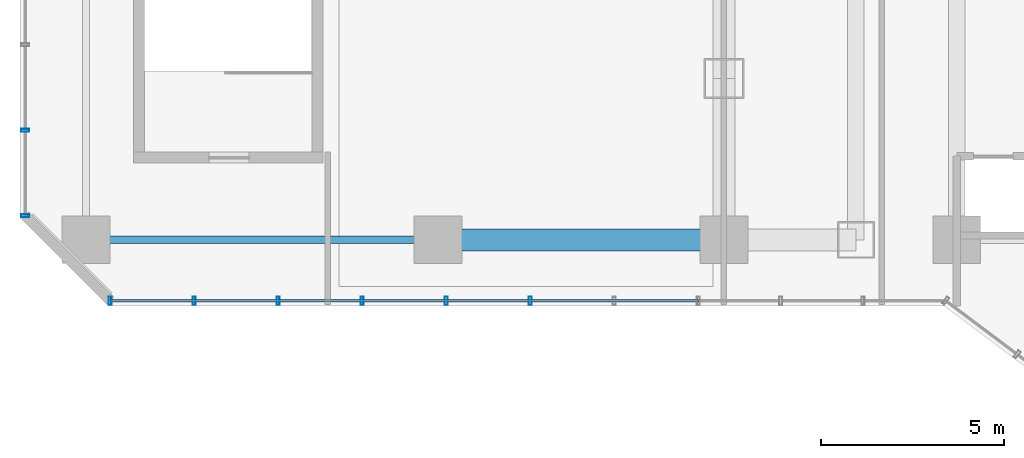
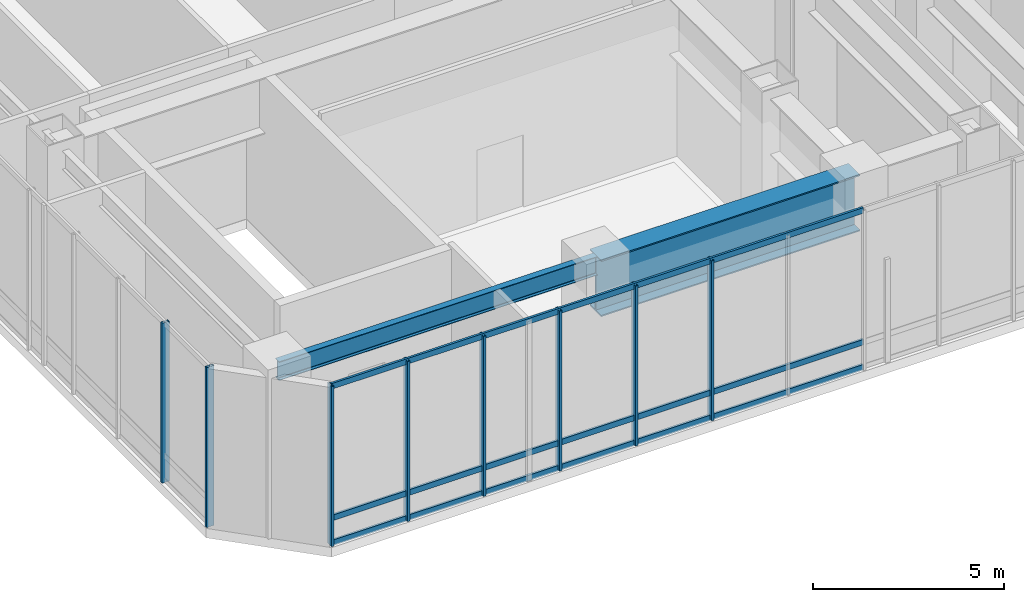
# One storey, part 2 of 38: 11 members, 2 beams, 2 elements without a shape of their own.
"""IFC4 building model written with IfcOpenShell, lengths in metres."""

from ifc_helpers import new_model, si_unit, direction, frame, origin, origin_2d, place, context, subcontext, project, spatial, hollow_rectangle, i_section, extrude, material, layer, layer_set, material_profile, profile_set, type_object, element, aggregate, save


model = new_model("IFC4")

# Units and contexts
model_context = context("Model", 3, precision=1e-05, world=origin(), true_north=direction((0.0, 1.0)))
body_context = subcontext(model_context, "Body", "Model", "MODEL_VIEW")
ifc_project = project(units=[si_unit("LENGTHUNIT", "METRE"), si_unit("AREAUNIT", "SQUARE_METRE"), si_unit("VOLUMEUNIT", "CUBIC_METRE"), si_unit("PLANEANGLEUNIT", "RADIAN"), si_unit("MASSUNIT", "GRAM", prefix="KILO")], contexts=[model_context])

# Site, building, storey
site_placement = place(None, origin())
site = spatial("IfcSite", under=ifc_project, at=site_placement, CompositionType="ELEMENT")
building_placement = place(site_placement, origin())
building = spatial("IfcBuilding", under=site, at=building_placement, Name="Hatsunagi Terrace Concourse", CompositionType="ELEMENT")
storey_placement = place(building_placement, frame((0.0, 0.0, 21.60009765625)))
storey = spatial("IfcBuildingStorey", under=building, at=storey_placement, Name="L05", CompositionType="ELEMENT", Elevation=21.60009765625)

# Curtain wall, members
ifc_material_1 = material(Name="Anodised Aluminium Alloy 6063-T5", Category="aluminium")
ifc_layer = layer(ifc_material_1, 0.199951171875)
ifc_layer_set = layer_set([ifc_layer], Name="PodiumStorefront_CW01")
curtain_wall_type = type_object("IfcCurtainWallType", Name="PodiumStorefront_CW01", PredefinedType="NOTDEFINED", material=ifc_layer_set)
curtain_wall_1_placement = place(storey_placement, origin())
curtain_wall_1 = element("IfcCurtainWall", 1, at=curtain_wall_1_placement, inside=storey, type_object=curtain_wall_type, Name="Unitised Curtain Wall CW-01 CW-L05-07", PredefinedType="NOTDEFINED")
ifc_material_2 = material(Name="Anodised Aluminium Alloy 6063-T5", Category="aluminium")
ifc_material_profile_1 = material_profile(ifc_material_2, hollow_rectangle(XDim=0.080078125, YDim=0.219970703125, WallThickness=0.0048828125, at=origin_2d()), Name="ALU-MUL-220x80x5")
ifc_profile_set_1 = profile_set([ifc_material_profile_1], Name="Anodised Aluminium Alloy 6063-T5")
member_type_1 = type_object("IfcMemberType", Name="CurtainWallMullion_Heavy_220x80", PredefinedType="MULLION", material=ifc_profile_set_1)
member_1_placement = place(storey_placement, frame((13.9169921875, 23.5400390625, 0.0), z_axis=(0.0, 0.0, 1.0), x_axis=(-1.0, 0.0, 0.0)))
member_1 = element("IfcMember", 2, at=member_1_placement, type_object=member_type_1, Name="Curtain Wall Mullion MUL-01", PredefinedType="MULLION", context=body_context, shape_type="SweptSolid", body=[
    extrude(hollow_rectangle(XDim=0.080078125, YDim=0.219970703125, WallThickness=0.0048828125, at=origin_2d()), origin(), (0.0, 0.0, 1.0), 5.099853515625),
])
member_2_placement = place(storey_placement, frame((11.625, 23.5400390625, 0.0), z_axis=(0.0, 0.0, 1.0), x_axis=(-1.0, 0.0, 0.0)))
member_2 = element("IfcMember", 3, at=member_2_placement, type_object=member_type_1, Name="Curtain Wall Mullion MUL-01", PredefinedType="MULLION", context=body_context, shape_type="SweptSolid", body=[
    extrude(hollow_rectangle(XDim=0.080078125, YDim=0.219970703125, WallThickness=0.0048828125, at=origin_2d()), origin(), (0.0, 0.0, 1.0), 5.099853515625),
])
member_3_placement = place(storey_placement, frame((9.3330078125, 23.5400390625, 0.0), z_axis=(0.0, 0.0, 1.0), x_axis=(-1.0, 0.0, 0.0)))
member_3 = element("IfcMember", 4, at=member_3_placement, type_object=member_type_1, Name="Curtain Wall Mullion MUL-01", PredefinedType="MULLION", context=body_context, shape_type="SweptSolid", body=[
    extrude(hollow_rectangle(XDim=0.080078125, YDim=0.219970703125, WallThickness=0.0048828125, at=origin_2d()), origin(), (0.0, 0.0, 1.0), 5.099853515625),
])
member_4_placement = place(storey_placement, frame((7.041015625, 23.5400390625, 0.0), z_axis=(0.0, 0.0, 1.0), x_axis=(-1.0, 0.0, 0.0)))
member_4 = element("IfcMember", 5, at=member_4_placement, type_object=member_type_1, Name="Curtain Wall Mullion MUL-01", PredefinedType="MULLION", context=body_context, shape_type="SweptSolid", body=[
    extrude(hollow_rectangle(XDim=0.080078125, YDim=0.219970703125, WallThickness=0.0048828125, at=origin_2d()), origin(), (0.0, 0.0, 1.0), 5.099853515625),
])
member_5_placement = place(storey_placement, frame((4.75, 23.5400390625, 0.0), z_axis=(0.0, 0.0, 1.0), x_axis=(-1.0, 0.0, 0.0)))
member_5 = element("IfcMember", 6, at=member_5_placement, type_object=member_type_1, Name="Curtain Wall Mullion MUL-01", PredefinedType="MULLION", context=body_context, shape_type="SweptSolid", body=[
    extrude(hollow_rectangle(XDim=0.080078125, YDim=0.219970703125, WallThickness=0.0048828125, at=origin_2d()), origin(), (0.0, 0.0, 1.0), 5.099853515625),
])
member_6_placement = place(storey_placement, frame((2.4580078125, 23.5400390625, 0.0), z_axis=(0.0, 0.0, 1.0), x_axis=(-1.0, 0.0, 0.0)))
member_6 = element("IfcMember", 7, at=member_6_placement, type_object=member_type_1, Name="Curtain Wall Mullion MUL-01", PredefinedType="MULLION", context=body_context, shape_type="SweptSolid", body=[
    extrude(hollow_rectangle(XDim=0.080078125, YDim=0.219970703125, WallThickness=0.0048828125, at=origin_2d()), origin(), (0.0, 0.0, 1.0), 5.099853515625),
])

curtain_wall_2_placement = place(storey_placement, origin())
curtain_wall_2 = element("IfcCurtainWall", 8, at=curtain_wall_2_placement, inside=storey, type_object=curtain_wall_type, Name="Unitised Curtain Wall CW-01 CW-L05-09", PredefinedType="NOTDEFINED")
member_7_placement = place(storey_placement, frame((0.139892578125, 25.85791015625, 0.0), z_axis=(0.0, 0.0, 1.0), x_axis=(0.0, 1.0, 0.0)))
member_7 = element("IfcMember", 9, at=member_7_placement, type_object=member_type_1, Name="Curtain Wall Mullion MUL-01", PredefinedType="MULLION", context=body_context, shape_type="SweptSolid", body=[
    extrude(hollow_rectangle(XDim=0.080078125, YDim=0.219970703125, WallThickness=0.0048828125, at=origin_2d()), origin(), (0.0, 0.0, 1.0), 5.099853515625),
])
member_8_placement = place(storey_placement, frame((0.139892578125, 28.18603515625, 0.0), z_axis=(0.0, 0.0, 1.0), x_axis=(0.0, 1.0, 0.0)))
member_8 = element("IfcMember", 10, at=member_8_placement, type_object=member_type_1, Name="Curtain Wall Mullion MUL-01", PredefinedType="MULLION", context=body_context, shape_type="SweptSolid", body=[
    extrude(hollow_rectangle(XDim=0.080078125, YDim=0.219970703125, WallThickness=0.0048828125, at=origin_2d()), origin(), (0.0, 0.0, 1.0), 5.099853515625),
])
aggregate(curtain_wall_2, [member_7, member_8])

# Member
ifc_material_3 = material(Name="Anodised Aluminium Alloy 6063-T5", Category="aluminium")
ifc_material_profile_2 = material_profile(ifc_material_3, hollow_rectangle(XDim=0.070068359375, YDim=0.179931640625, WallThickness=0.00390625, at=origin_2d()), Name="ALU-TRN-180x70x4")
ifc_profile_set_2 = profile_set([ifc_material_profile_2], Name="Anodised Aluminium Alloy 6063-T5")
member_type_2 = type_object("IfcMemberType", Name="CurtainWallTransom_Heavy_180x70", PredefinedType="USERDEFINED", material=ifc_profile_set_2)
member_9_placement = place(storey_placement, frame((18.5, 23.5400390625, 0.0498046875), z_axis=(-1.0, 0.0, 0.0), x_axis=(0.0, -1.0, 0.0)))
member_9 = element("IfcMember", 11, at=member_9_placement, type_object=member_type_2, Name="Curtain Wall Transom TRN-01", ObjectType="TRANSOM", PredefinedType="USERDEFINED", context=body_context, shape_type="SweptSolid", body=[
    extrude(hollow_rectangle(XDim=0.070068359375, YDim=0.179931640625, WallThickness=0.00390625, at=origin_2d()), origin(), (0.0, 0.0, 1.0), 16.0419921875),
])

member_10_placement = place(storey_placement, frame((18.5, 23.5400390625, 0.849853515625), z_axis=(-1.0, 0.0, 0.0), x_axis=(0.0, -1.0, 0.0)))
member_10 = element("IfcMember", 12, at=member_10_placement, type_object=member_type_2, Name="Curtain Wall Transom TRN-01", ObjectType="TRANSOM", PredefinedType="USERDEFINED", context=body_context, shape_type="SweptSolid", body=[
    extrude(hollow_rectangle(XDim=0.070068359375, YDim=0.179931640625, WallThickness=0.00390625, at=origin_2d()), origin(), (0.0, 0.0, 1.0), 16.0419921875),
])

member_11_placement = place(storey_placement, frame((18.5, 23.5400390625, 5.0498046875), z_axis=(-1.0, 0.0, 0.0), x_axis=(0.0, -1.0, 0.0)))
member_11 = element("IfcMember", 13, at=member_11_placement, type_object=member_type_2, Name="Curtain Wall Transom TRN-01", ObjectType="TRANSOM", PredefinedType="USERDEFINED", context=body_context, shape_type="SweptSolid", body=[
    extrude(hollow_rectangle(XDim=0.070068359375, YDim=0.179931640625, WallThickness=0.00390625, at=origin_2d()), origin(), (0.0, 0.0, 1.0), 16.0419921875),
])

aggregate(curtain_wall_1, [member_1, member_2, member_3, member_4, member_5, member_6, member_9, member_10, member_11])

# Beams
ifc_material_4 = material(Name="Steel SN490B", Category="steel")
ifc_material_profile_3 = material_profile(ifc_material_4, i_section(OverallWidth=0.199951171875, OverallDepth=0.60009765625, WebThickness=0.010986328125, FlangeThickness=0.01708984375, FilletRadius=0.01806640625, at=origin_2d()), Name="H-600x200x11x17")
ifc_profile_set_3 = profile_set([ifc_material_profile_3], Name="Steel SN490B")
beam_type_1 = type_object("IfcBeamType", Name="PerimeterSpandrel_H_600x200", PredefinedType="SPANDREL", material=ifc_profile_set_3)
beam_1_placement = place(storey_placement, frame((1.800048828125, 25.199951171875, 4.7998046875), z_axis=(1.0, 0.0, 0.0), x_axis=(0.0, 1.0, 0.0)))
element("IfcBeam", 14, at=beam_1_placement, inside=storey, type_object=beam_type_1, Name="Beam SP-01 BM-L05-WS-1", PredefinedType="SPANDREL", context=body_context, shape_type="SweptSolid", body=[
    extrude(i_section(OverallWidth=0.199951171875, OverallDepth=0.60009765625, WebThickness=0.010986328125, FlangeThickness=0.01708984375, FilletRadius=0.01806640625, at=origin_2d()), origin(), (0.0, 0.0, 1.0), 9.599853515625),
])
ifc_material_5 = material(Name="Steel SN490C", Category="steel")
ifc_material_profile_4 = material_profile(ifc_material_5, i_section(OverallWidth=0.60009765625, OverallDepth=1.800048828125, WebThickness=0.031982421875, FlangeThickness=0.0400390625, at=origin_2d()), Name="BH-1800x600x32x40")
ifc_profile_set_4 = profile_set([ifc_material_profile_4], Name="Steel SN490C")
beam_type_2 = type_object("IfcBeamType", Name="TransferGirder_BH_1800x600x32x40", PredefinedType="USERDEFINED", material=ifc_profile_set_4)
beam_2_placement = place(storey_placement, frame((11.39990234375, 25.199951171875, 4.199951171875), z_axis=(1.0, 0.0, 0.0), x_axis=(0.0, 1.0, 0.0)))
element("IfcBeam", 15, at=beam_2_placement, inside=storey, type_object=beam_type_2, Name="Transfer girder TG-01 BM-L05-WS-11", ObjectType="TRANSFER_GIRDER", PredefinedType="USERDEFINED", context=body_context, shape_type="SweptSolid", body=[
    extrude(i_section(OverallWidth=0.60009765625, OverallDepth=1.800048828125, WebThickness=0.031982421875, FlangeThickness=0.0400390625, at=origin_2d()), origin(), (0.0, 0.0, 1.0), 7.800048828125),
])

save(model, "model.ifc")
